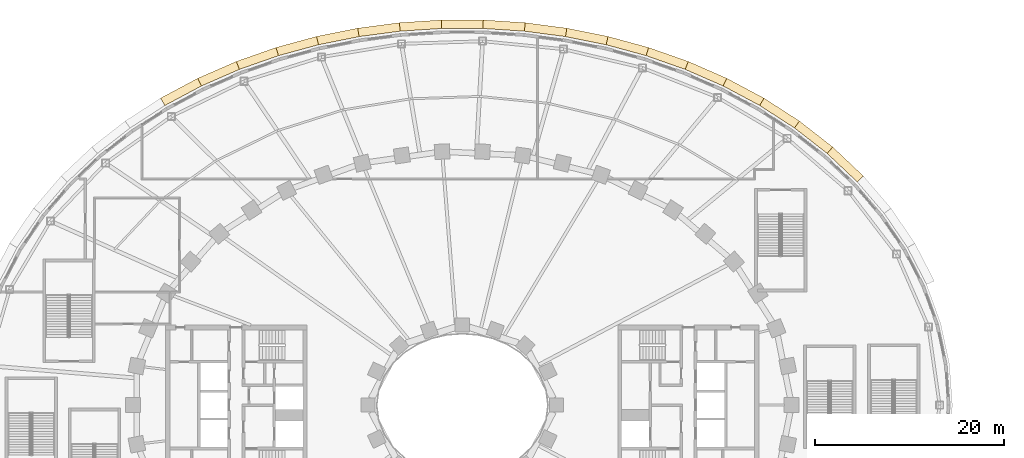
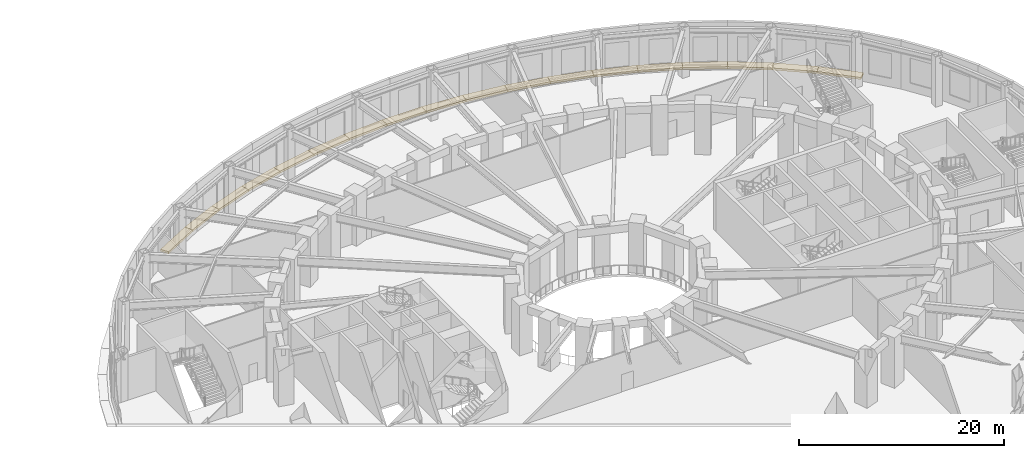
# One storey, part 73 of 74: 18 coverings.
"""IFC4 building model written with IfcOpenShell, lengths in metres."""

from ifc_helpers import new_model, si_unit, direction, frame, origin, place, context, subcontext, project, spatial, polyline, outline, extrude, material, type_object, element, save


model = new_model("IFC4")

# Units and contexts
model_context = context("Model", 3, precision=1e-05, world=origin(), true_north=direction((0.0, 1.0)))
body_context = subcontext(model_context, "Body", "Model", "MODEL_VIEW")
ifc_project = project(units=[si_unit("LENGTHUNIT", "METRE"), si_unit("AREAUNIT", "SQUARE_METRE"), si_unit("VOLUMEUNIT", "CUBIC_METRE"), si_unit("PLANEANGLEUNIT", "RADIAN"), si_unit("MASSUNIT", "GRAM", prefix="KILO")], contexts=[model_context])

# Site, building, storey
site_placement = place(None, origin())
site = spatial("IfcSite", under=ifc_project, at=site_placement, CompositionType="ELEMENT")
building_placement = place(site_placement, origin())
building = spatial("IfcBuilding", under=site, at=building_placement, Name="Noorbagh Ring Tower", CompositionType="ELEMENT")
storey_placement = place(building_placement, frame((0.0, 0.0, 7.5)))
storey = spatial("IfcBuildingStorey", under=building, at=storey_placement, Name="L01", CompositionType="ELEMENT", Elevation=7.5)

# Coverings
ifc_material = material(Name="Red sandstone eave", Category="masonry")
covering_type = type_object("IfcCoveringType", Name="STY-CHHAJJA", PredefinedType="USERDEFINED", material=ifc_material)
covering_1_placement = place(storey_placement, frame((0.0, 0.0, -0.25)))
element("IfcCovering", 1, at=covering_1_placement, inside=storey, type_object=covering_type, Name="Chhajja eave", ObjectType="CHHAJJA", PredefinedType="USERDEFINED", context=body_context, shape_type="SweptSolid", body=[
    extrude(outline(polyline([(41.906494140625, 23.682373046875), (38.71435546875, 26.70458984375), (39.3017578125, 27.3876953125), (42.55908203125, 24.3037109375), (41.906494140625, 23.682373046875)])), origin(), (0.0, 0.0, 1.0), 0.25),
])
covering_2_placement = place(storey_placement, frame((0.0, 0.0, -0.25)))
element("IfcCovering", 2, at=covering_2_placement, inside=storey, type_object=covering_type, Name="Chhajja eave", ObjectType="CHHAJJA", PredefinedType="USERDEFINED", context=body_context, shape_type="SweptSolid", body=[
    extrude(outline(polyline([(38.71435546875, 26.70458984375), (35.247802734375, 29.408203125), (35.769775390625, 30.142578125), (39.3017578125, 27.3876953125), (38.71435546875, 26.70458984375)])), origin(), (0.0, 0.0, 1.0), 0.25),
])
covering_3_placement = place(storey_placement, frame((0.0, 0.0, -0.25)))
element("IfcCovering", 3, at=covering_3_placement, inside=storey, type_object=covering_type, Name="Chhajja eave", ObjectType="CHHAJJA", PredefinedType="USERDEFINED", context=body_context, shape_type="SweptSolid", body=[
    extrude(outline(polyline([(35.247802734375, 29.408203125), (31.5546875, 31.793701171875), (32.011474609375, 32.56982421875), (35.769775390625, 30.142578125), (35.247802734375, 29.408203125)])), origin(), (0.0, 0.0, 1.0), 0.25),
])
covering_4_placement = place(storey_placement, frame((0.0, 0.0, -0.25)))
element("IfcCovering", 4, at=covering_4_placement, inside=storey, type_object=covering_type, Name="Chhajja eave", ObjectType="CHHAJJA", PredefinedType="USERDEFINED", context=body_context, shape_type="SweptSolid", body=[
    extrude(outline(polyline([(31.5546875, 31.793701171875), (27.67578125, 33.864013671875), (28.068603515625, 34.674560546875), (32.011474609375, 32.56982421875), (31.5546875, 31.793701171875)])), origin(), (0.0, 0.0, 1.0), 0.25),
])
covering_5_placement = place(storey_placement, frame((0.0, 0.0, -0.25)))
element("IfcCovering", 5, at=covering_5_placement, inside=storey, type_object=covering_type, Name="Chhajja eave", ObjectType="CHHAJJA", PredefinedType="USERDEFINED", context=body_context, shape_type="SweptSolid", body=[
    extrude(outline(polyline([(27.67578125, 33.864013671875), (23.647216796875, 35.624755859375), (23.976806640625, 36.462890625), (28.068603515625, 34.674560546875), (27.67578125, 33.864013671875)])), origin(), (0.0, 0.0, 1.0), 0.25),
])
covering_6_placement = place(storey_placement, frame((0.0, 0.0, -0.25)))
element("IfcCovering", 6, at=covering_6_placement, inside=storey, type_object=covering_type, Name="Chhajja eave", ObjectType="CHHAJJA", PredefinedType="USERDEFINED", context=body_context, shape_type="SweptSolid", body=[
    extrude(outline(polyline([(23.647216796875, 35.624755859375), (19.49853515625, 37.081298828125), (19.7666015625, 37.941162109375), (23.976806640625, 36.462890625), (23.647216796875, 35.624755859375)])), origin(), (0.0, 0.0, 1.0), 0.25),
])
covering_7_placement = place(storey_placement, frame((0.0, 0.0, -0.25)))
element("IfcCovering", 7, at=covering_7_placement, inside=storey, type_object=covering_type, Name="Chhajja eave", ObjectType="CHHAJJA", PredefinedType="USERDEFINED", context=body_context, shape_type="SweptSolid", body=[
    extrude(outline(polyline([(19.49853515625, 37.081298828125), (15.2568359375, 38.239501953125), (15.464111328125, 39.115966796875), (19.7666015625, 37.941162109375), (19.49853515625, 37.081298828125)])), origin(), (0.0, 0.0, 1.0), 0.25),
])
covering_8_placement = place(storey_placement, frame((0.0, 0.0, -0.25)))
element("IfcCovering", 8, at=covering_8_placement, inside=storey, type_object=covering_type, Name="Chhajja eave", ObjectType="CHHAJJA", PredefinedType="USERDEFINED", context=body_context, shape_type="SweptSolid", body=[
    extrude(outline(polyline([(15.2568359375, 38.239501953125), (10.945556640625, 39.103759765625), (11.093017578125, 39.9921875), (15.464111328125, 39.115966796875), (15.2568359375, 38.239501953125)])), origin(), (0.0, 0.0, 1.0), 0.25),
])
covering_9_placement = place(storey_placement, frame((0.0, 0.0, -0.25)))
element("IfcCovering", 9, at=covering_9_placement, inside=storey, type_object=covering_type, Name="Chhajja eave", ObjectType="CHHAJJA", PredefinedType="USERDEFINED", context=body_context, shape_type="SweptSolid", body=[
    extrude(outline(polyline([(10.945556640625, 39.103759765625), (6.586181640625, 39.677978515625), (6.67431640625, 40.573974609375), (11.093017578125, 39.9921875), (10.945556640625, 39.103759765625)])), origin(), (0.0, 0.0, 1.0), 0.25),
])
covering_10_placement = place(storey_placement, frame((0.0, 0.0, -0.25)))
element("IfcCovering", 10, at=covering_10_placement, inside=storey, type_object=covering_type, Name="Chhajja eave", ObjectType="CHHAJJA", PredefinedType="USERDEFINED", context=body_context, shape_type="SweptSolid", body=[
    extrude(outline(polyline([(6.586181640625, 39.677978515625), (2.198486328125, 39.964111328125), (2.227783203125, 40.8642578125), (6.67431640625, 40.573974609375), (6.586181640625, 39.677978515625)])), origin(), (0.0, 0.0, 1.0), 0.25),
])
covering_11_placement = place(storey_placement, frame((0.0, 0.0, -0.25)))
element("IfcCovering", 11, at=covering_11_placement, inside=storey, type_object=covering_type, Name="Chhajja eave", ObjectType="CHHAJJA", PredefinedType="USERDEFINED", context=body_context, shape_type="SweptSolid", body=[
    extrude(outline(polyline([(2.198486328125, 39.964111328125), (-2.198486328125, 39.964111328125), (-2.227783203125, 40.8642578125), (2.227783203125, 40.8642578125), (2.198486328125, 39.964111328125)])), origin(), (0.0, 0.0, 1.0), 0.25),
])
covering_12_placement = place(storey_placement, frame((0.0, 0.0, -0.25)))
element("IfcCovering", 12, at=covering_12_placement, inside=storey, type_object=covering_type, Name="Chhajja eave", ObjectType="CHHAJJA", PredefinedType="USERDEFINED", context=body_context, shape_type="SweptSolid", body=[
    extrude(outline(polyline([(-2.198486328125, 39.964111328125), (-6.586181640625, 39.677978515625), (-6.67431640625, 40.573974609375), (-2.227783203125, 40.8642578125), (-2.198486328125, 39.964111328125)])), origin(), (0.0, 0.0, 1.0), 0.25),
])
covering_13_placement = place(storey_placement, frame((0.0, 0.0, -0.25)))
element("IfcCovering", 13, at=covering_13_placement, inside=storey, type_object=covering_type, Name="Chhajja eave", ObjectType="CHHAJJA", PredefinedType="USERDEFINED", context=body_context, shape_type="SweptSolid", body=[
    extrude(outline(polyline([(-6.586181640625, 39.677978515625), (-10.945556640625, 39.103759765625), (-11.093017578125, 39.9921875), (-6.67431640625, 40.573974609375), (-6.586181640625, 39.677978515625)])), origin(), (0.0, 0.0, 1.0), 0.25),
])
covering_14_placement = place(storey_placement, frame((0.0, 0.0, -0.25)))
element("IfcCovering", 14, at=covering_14_placement, inside=storey, type_object=covering_type, Name="Chhajja eave", ObjectType="CHHAJJA", PredefinedType="USERDEFINED", context=body_context, shape_type="SweptSolid", body=[
    extrude(outline(polyline([(-10.945556640625, 39.103759765625), (-15.2568359375, 38.239501953125), (-15.464111328125, 39.115966796875), (-11.093017578125, 39.9921875), (-10.945556640625, 39.103759765625)])), origin(), (0.0, 0.0, 1.0), 0.25),
])
covering_15_placement = place(storey_placement, frame((0.0, 0.0, -0.25)))
element("IfcCovering", 15, at=covering_15_placement, inside=storey, type_object=covering_type, Name="Chhajja eave", ObjectType="CHHAJJA", PredefinedType="USERDEFINED", context=body_context, shape_type="SweptSolid", body=[
    extrude(outline(polyline([(-15.2568359375, 38.239501953125), (-19.49853515625, 37.081298828125), (-19.7666015625, 37.941162109375), (-15.464111328125, 39.115966796875), (-15.2568359375, 38.239501953125)])), origin(), (0.0, 0.0, 1.0), 0.25),
])
covering_16_placement = place(storey_placement, frame((0.0, 0.0, -0.25)))
element("IfcCovering", 16, at=covering_16_placement, inside=storey, type_object=covering_type, Name="Chhajja eave", ObjectType="CHHAJJA", PredefinedType="USERDEFINED", context=body_context, shape_type="SweptSolid", body=[
    extrude(outline(polyline([(-19.49853515625, 37.081298828125), (-23.647216796875, 35.624755859375), (-23.976806640625, 36.462890625), (-19.7666015625, 37.941162109375), (-19.49853515625, 37.081298828125)])), origin(), (0.0, 0.0, 1.0), 0.25),
])
covering_17_placement = place(storey_placement, frame((0.0, 0.0, -0.25)))
element("IfcCovering", 17, at=covering_17_placement, inside=storey, type_object=covering_type, Name="Chhajja eave", ObjectType="CHHAJJA", PredefinedType="USERDEFINED", context=body_context, shape_type="SweptSolid", body=[
    extrude(outline(polyline([(-23.647216796875, 35.624755859375), (-27.67578125, 33.864013671875), (-28.068603515625, 34.674560546875), (-23.976806640625, 36.462890625), (-23.647216796875, 35.624755859375)])), origin(), (0.0, 0.0, 1.0), 0.25),
])
covering_18_placement = place(storey_placement, frame((0.0, 0.0, -0.25)))
element("IfcCovering", 18, at=covering_18_placement, inside=storey, type_object=covering_type, Name="Chhajja eave", ObjectType="CHHAJJA", PredefinedType="USERDEFINED", context=body_context, shape_type="SweptSolid", body=[
    extrude(outline(polyline([(-27.67578125, 33.864013671875), (-31.5546875, 31.793701171875), (-32.011474609375, 32.56982421875), (-28.068603515625, 34.674560546875), (-27.67578125, 33.864013671875)])), origin(), (0.0, 0.0, 1.0), 0.25),
])

save(model, "model.ifc")
